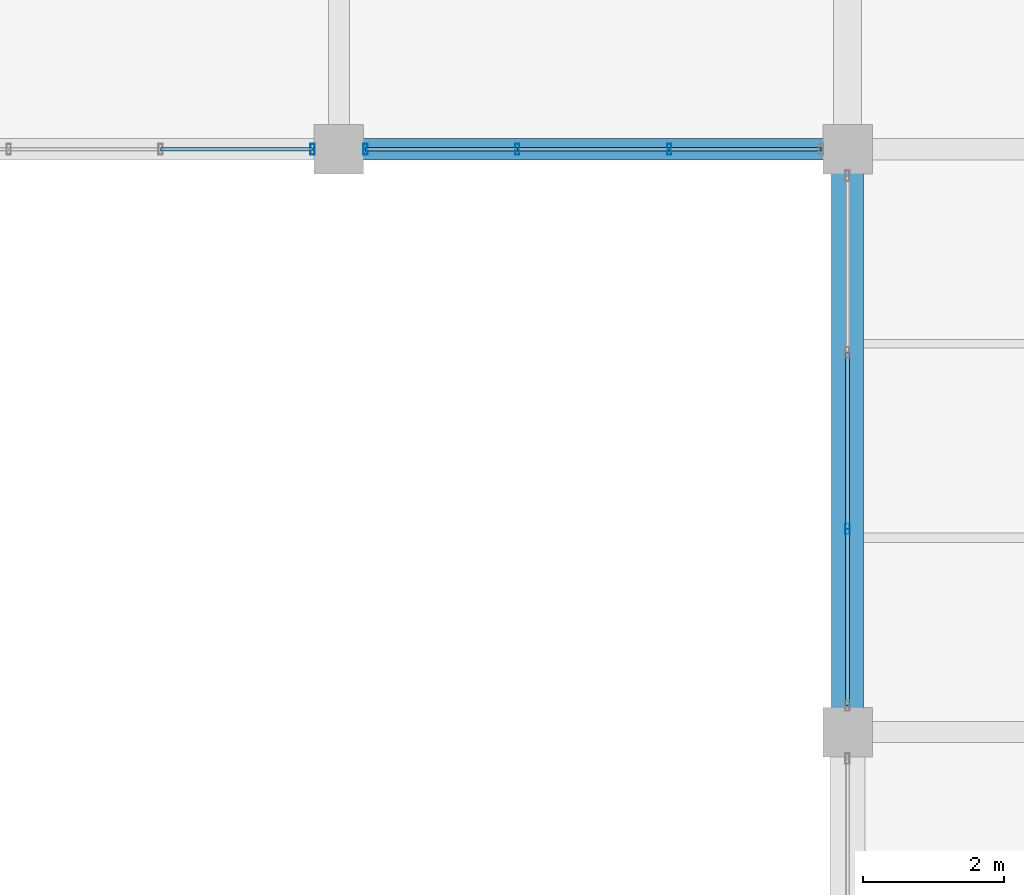
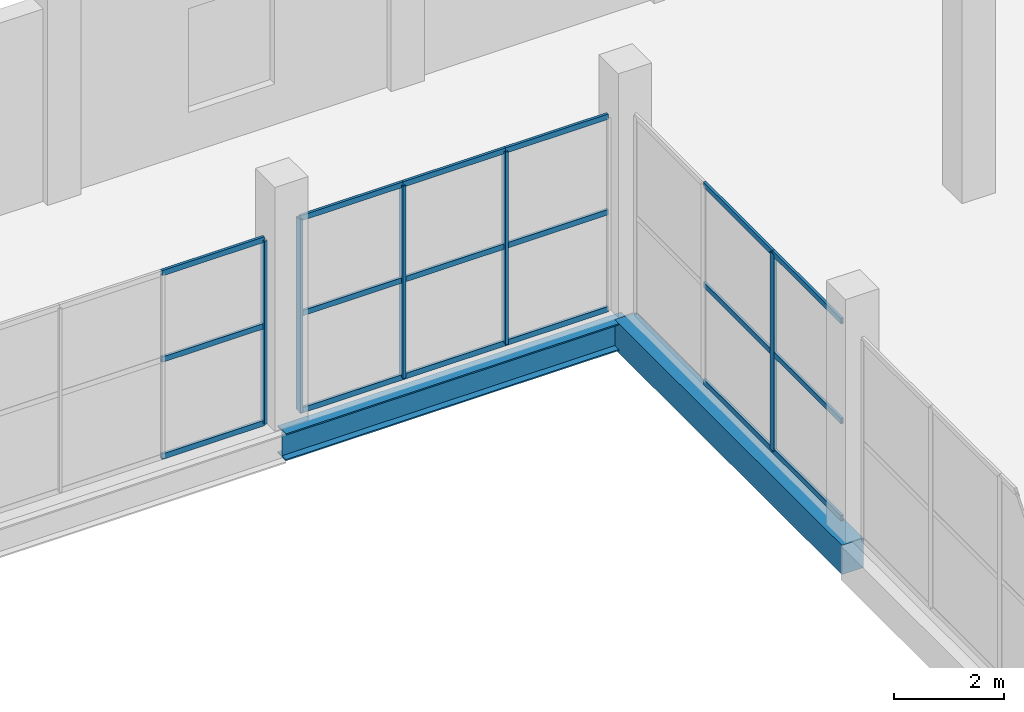
# One storey, part 110 of 147: 23 members, 2 beams, 3 elements without a shape of their own.
"""IFC4 building model written with IfcOpenShell, lengths in metres."""

from ifc_helpers import new_model, si_unit, direction, frame, origin, origin_2d, place, context, subcontext, project, spatial, rectangle, hollow_rectangle, i_section, extrude, material, layer, layer_set, material_profile, profile_set, type_object, element, aggregate, save


model = new_model("IFC4")

# Units and contexts
model_context = context("Model", 3, precision=1e-05, world=origin(), true_north=direction((0.0, 1.0)))
body_context = subcontext(model_context, "Body", "Model", "MODEL_VIEW")
ifc_project = project(units=[si_unit("LENGTHUNIT", "METRE"), si_unit("AREAUNIT", "SQUARE_METRE"), si_unit("VOLUMEUNIT", "CUBIC_METRE"), si_unit("PLANEANGLEUNIT", "RADIAN"), si_unit("MASSUNIT", "GRAM", prefix="KILO")], contexts=[model_context])

# Site, building, storey
site_placement = place(None, origin())
site = spatial("IfcSite", under=ifc_project, at=site_placement, CompositionType="ELEMENT")
building_placement = place(site_placement, origin())
building = spatial("IfcBuilding", under=site, at=building_placement, Name="Sundgate Opera House", CompositionType="ELEMENT")
storey_placement = place(building_placement, frame((0.0, 0.0, 6.0)))
storey = spatial("IfcBuildingStorey", under=building, at=storey_placement, Name="L01", CompositionType="ELEMENT", Elevation=6.0)

# Beams
ifc_material_1 = material(Name="Steel S355J2", Category="steel")
ifc_material_profile_1 = material_profile(ifc_material_1, i_section(OverallWidth=0.300048828125, OverallDepth=0.60009765625, WebThickness=0.015380859375, FlangeThickness=0.030029296875, at=origin_2d()), Name="HEB 600")
ifc_profile_set_1 = profile_set([ifc_material_profile_1], Name="Steel S355J2")
beam_type_1 = type_object("IfcBeamType", Name="BM-GR-HEB600", PredefinedType="BEAM", material=ifc_profile_set_1)
beam_1_placement = place(storey_placement, frame((145.800048828125, 111.75, -0.60009765625), z_axis=(1.0, 0.0, 0.0), x_axis=(0.0, 1.0, 0.0)))
element("IfcBeam", 1, at=beam_1_placement, inside=storey, type_object=beam_type_1, Name="L01 Primary E-W Girder B1448", PredefinedType="BEAM", context=body_context, shape_type="SweptSolid", body=[
    extrude(i_section(OverallWidth=0.300048828125, OverallDepth=0.60009765625, WebThickness=0.015380859375, FlangeThickness=0.030029296875, at=origin_2d()), origin(), (0.0, 0.0, 1.0), 7.199951171875),
])
ifc_material_2 = material(Name="Concrete C35/45", Category="concrete")
ifc_material_profile_2 = material_profile(ifc_material_2, rectangle(XDim=0.449951171875, YDim=0.64990234375, at=origin_2d()), Name="RC 450x650")
ifc_profile_set_2 = profile_set([ifc_material_profile_2], Name="Concrete C35/45")
beam_type_2 = type_object("IfcBeamType", Name="BM-RC-450x650", PredefinedType="BEAM", material=ifc_profile_set_2)
beam_2_placement = place(storey_placement, frame((153.0, 103.5, -0.625), z_axis=(0.0, 1.0, 0.0), x_axis=(-1.0, 0.0, 0.0)))
element("IfcBeam", 2, at=beam_2_placement, inside=storey, type_object=beam_type_2, Name="L01 Primary N-S Girder B1245", PredefinedType="BEAM", context=body_context, shape_type="SweptSolid", body=[
    extrude(rectangle(XDim=0.449951171875, YDim=0.64990234375, at=origin_2d()), origin(), (0.0, 0.0, 1.0), 8.25),
])

# Curtain wall, member
ifc_material_3 = material(Name="Anodized aluminium and low-iron glass", Category="aluminium")
ifc_layer = layer(ifc_material_3, 0.159912109375)
ifc_layer_set = layer_set([ifc_layer], Name="Anodized aluminium and low-iron glass")
curtain_wall_type = type_object("IfcCurtainWallType", Name="CW-STUDIO-DARK", PredefinedType="NOTDEFINED", material=ifc_layer_set)
curtain_wall_1_placement = place(storey_placement, origin())
curtain_wall_1 = element("IfcCurtainWall", 3, at=curtain_wall_1_placement, inside=storey, type_object=curtain_wall_type, Name="L01 Curtain Wall CW099", PredefinedType="NOTDEFINED")
ifc_material_4 = material(Name="Anodized aluminium EN AW-6063", Category="aluminium")
ifc_material_profile_3 = material_profile(ifc_material_4, hollow_rectangle(XDim=0.06005859375, YDim=0.14990234375, WallThickness=0.00390625, at=origin_2d()), Name="CWM 150x60x4")
ifc_profile_set_3 = profile_set([ifc_material_profile_3], Name="Anodized aluminium EN AW-6063")
member_type_1 = type_object("IfcMemberType", Name="CWM-ALU-150x60", PredefinedType="MULLION", material=ifc_profile_set_3)
member_1_placement = place(storey_placement, frame((145.425048828125, 111.75, 0.0), z_axis=(0.0, 0.0, 1.0), x_axis=(1.0, 0.0, 0.0)))
member_1 = element("IfcMember", 4, at=member_1_placement, type_object=member_type_1, Name="CW099 Mullion 1", PredefinedType="MULLION", context=body_context, shape_type="SweptSolid", body=[
    extrude(hollow_rectangle(XDim=0.06005859375, YDim=0.14990234375, WallThickness=0.00390625, at=origin_2d()), origin(), (0.0, 0.0, 1.0), 4.06494140625),
])

# Curtain wall, members
curtain_wall_2_placement = place(storey_placement, origin())
curtain_wall_2 = element("IfcCurtainWall", 5, at=curtain_wall_2_placement, inside=storey, type_object=curtain_wall_type, Name="L01 Curtain Wall CW101", PredefinedType="NOTDEFINED")
member_2_placement = place(storey_placement, frame((150.47509765625, 111.75, 0.0), z_axis=(0.0, 0.0, 1.0), x_axis=(1.0, 0.0, 0.0)))
member_2 = element("IfcMember", 6, at=member_2_placement, type_object=member_type_1, Name="CW101 Mullion 2", PredefinedType="MULLION", context=body_context, shape_type="SweptSolid", body=[
    extrude(hollow_rectangle(XDim=0.06005859375, YDim=0.14990234375, WallThickness=0.00390625, at=origin_2d()), origin(), (0.0, 0.0, 1.0), 4.264892578125),
])
member_3_placement = place(storey_placement, frame((148.324951171875, 111.75, 0.0), z_axis=(0.0, 0.0, 1.0), x_axis=(1.0, 0.0, 0.0)))
member_3 = element("IfcMember", 7, at=member_3_placement, type_object=member_type_1, Name="CW101 Mullion 3", PredefinedType="MULLION", context=body_context, shape_type="SweptSolid", body=[
    extrude(hollow_rectangle(XDim=0.06005859375, YDim=0.14990234375, WallThickness=0.00390625, at=origin_2d()), origin(), (0.0, 0.0, 1.0), 4.264892578125),
])
member_4_placement = place(storey_placement, frame((146.175048828125, 111.75, 0.0), z_axis=(0.0, 0.0, 1.0), x_axis=(1.0, 0.0, 0.0)))
member_4 = element("IfcMember", 8, at=member_4_placement, type_object=member_type_1, Name="CW101 Mullion 4", PredefinedType="MULLION", context=body_context, shape_type="SweptSolid", body=[
    extrude(hollow_rectangle(XDim=0.06005859375, YDim=0.14990234375, WallThickness=0.00390625, at=origin_2d()), origin(), (0.0, 0.0, 1.0), 4.264892578125),
])

# Curtain wall, member
curtain_wall_3_placement = place(storey_placement, origin())
curtain_wall_3 = element("IfcCurtainWall", 9, at=curtain_wall_3_placement, inside=storey, type_object=curtain_wall_type, Name="L01 Curtain Wall CW107", PredefinedType="NOTDEFINED")
member_5_placement = place(storey_placement, frame((153.0, 106.375, 0.0), z_axis=(0.0, 0.0, 1.0), x_axis=(1.0, 0.0, 0.0)))
member_5 = element("IfcMember", 10, at=member_5_placement, type_object=member_type_1, Name="CW107 Mullion 3", PredefinedType="MULLION", context=body_context, shape_type="SweptSolid", body=[
    extrude(hollow_rectangle(XDim=0.06005859375, YDim=0.14990234375, WallThickness=0.00390625, at=origin_2d()), origin(), (0.0, 0.0, 1.0), 4.364990234375),
])

# Member
ifc_material_5 = material(Name="Anodized aluminium EN AW-6063", Category="aluminium")
ifc_material_profile_4 = material_profile(ifc_material_5, hollow_rectangle(XDim=0.054931640625, YDim=0.1201171875, WallThickness=0.00390625, at=origin_2d()), Name="CWT 120x55x4")
ifc_profile_set_4 = profile_set([ifc_material_profile_4], Name="Anodized aluminium EN AW-6063")
member_type_2 = type_object("IfcMemberType", Name="CWT-ALU-120x55", PredefinedType="USERDEFINED", material=ifc_profile_set_4)
member_6_placement = place(storey_placement, frame((145.425048828125, 111.75, 0.0), z_axis=(-1.0, 0.0, 0.0), x_axis=(0.0, -1.0, 0.0)))
member_6 = element("IfcMember", 11, at=member_6_placement, type_object=member_type_2, Name="CW099 Transom 1", ObjectType="TRANSOM", PredefinedType="USERDEFINED", context=body_context, shape_type="SweptSolid", body=[
    extrude(hollow_rectangle(XDim=0.054931640625, YDim=0.1201171875, WallThickness=0.00390625, at=origin_2d()), origin(), (0.0, 0.0, 1.0), 2.150146484375),
])

member_7_placement = place(storey_placement, frame((145.425048828125, 111.75, 2.14990234375), z_axis=(-1.0, 0.0, 0.0), x_axis=(0.0, -1.0, 0.0)))
member_7 = element("IfcMember", 12, at=member_7_placement, type_object=member_type_2, Name="CW099 Transom 2", ObjectType="TRANSOM", PredefinedType="USERDEFINED", context=body_context, shape_type="SweptSolid", body=[
    extrude(hollow_rectangle(XDim=0.054931640625, YDim=0.1201171875, WallThickness=0.00390625, at=origin_2d()), origin(), (0.0, 0.0, 1.0), 2.150146484375),
])

member_8_placement = place(storey_placement, frame((145.425048828125, 111.75, 4.06494140625), z_axis=(-1.0, 0.0, 0.0), x_axis=(0.0, -1.0, 0.0)))
member_8 = element("IfcMember", 13, at=member_8_placement, type_object=member_type_2, Name="CW099 Transom 3", ObjectType="TRANSOM", PredefinedType="USERDEFINED", context=body_context, shape_type="SweptSolid", body=[
    extrude(hollow_rectangle(XDim=0.054931640625, YDim=0.1201171875, WallThickness=0.00390625, at=origin_2d()), origin(), (0.0, 0.0, 1.0), 2.150146484375),
])

aggregate(curtain_wall_1, [member_1, member_6, member_7, member_8])

member_9_placement = place(storey_placement, frame((152.625, 111.75, 0.0), z_axis=(-1.0, 0.0, 0.0), x_axis=(0.0, -1.0, 0.0)))
member_9 = element("IfcMember", 14, at=member_9_placement, type_object=member_type_2, Name="CW101 Transom 1", ObjectType="TRANSOM", PredefinedType="USERDEFINED", context=body_context, shape_type="SweptSolid", body=[
    extrude(hollow_rectangle(XDim=0.054931640625, YDim=0.1201171875, WallThickness=0.00390625, at=origin_2d()), origin(), (0.0, 0.0, 1.0), 2.14990234375),
])

member_10_placement = place(storey_placement, frame((152.625, 111.75, 2.14990234375), z_axis=(-1.0, 0.0, 0.0), x_axis=(0.0, -1.0, 0.0)))
member_10 = element("IfcMember", 15, at=member_10_placement, type_object=member_type_2, Name="CW101 Transom 2", ObjectType="TRANSOM", PredefinedType="USERDEFINED", context=body_context, shape_type="SweptSolid", body=[
    extrude(hollow_rectangle(XDim=0.054931640625, YDim=0.1201171875, WallThickness=0.00390625, at=origin_2d()), origin(), (0.0, 0.0, 1.0), 2.14990234375),
])

member_11_placement = place(storey_placement, frame((152.625, 111.75, 4.264892578125), z_axis=(-1.0, 0.0, 0.0), x_axis=(0.0, -1.0, 0.0)))
member_11 = element("IfcMember", 16, at=member_11_placement, type_object=member_type_2, Name="CW101 Transom 3", ObjectType="TRANSOM", PredefinedType="USERDEFINED", context=body_context, shape_type="SweptSolid", body=[
    extrude(hollow_rectangle(XDim=0.054931640625, YDim=0.1201171875, WallThickness=0.00390625, at=origin_2d()), origin(), (0.0, 0.0, 1.0), 2.14990234375),
])

member_12_placement = place(storey_placement, frame((150.47509765625, 111.75, 0.0), z_axis=(-1.0, 0.0, 0.0), x_axis=(0.0, -1.0, 0.0)))
member_12 = element("IfcMember", 17, at=member_12_placement, type_object=member_type_2, Name="CW101 Transom 4", ObjectType="TRANSOM", PredefinedType="USERDEFINED", context=body_context, shape_type="SweptSolid", body=[
    extrude(hollow_rectangle(XDim=0.054931640625, YDim=0.1201171875, WallThickness=0.00390625, at=origin_2d()), origin(), (0.0, 0.0, 1.0), 2.150146484375),
])

member_13_placement = place(storey_placement, frame((150.47509765625, 111.75, 2.14990234375), z_axis=(-1.0, 0.0, 0.0), x_axis=(0.0, -1.0, 0.0)))
member_13 = element("IfcMember", 18, at=member_13_placement, type_object=member_type_2, Name="CW101 Transom 5", ObjectType="TRANSOM", PredefinedType="USERDEFINED", context=body_context, shape_type="SweptSolid", body=[
    extrude(hollow_rectangle(XDim=0.054931640625, YDim=0.1201171875, WallThickness=0.00390625, at=origin_2d()), origin(), (0.0, 0.0, 1.0), 2.150146484375),
])

member_14_placement = place(storey_placement, frame((150.47509765625, 111.75, 4.264892578125), z_axis=(-1.0, 0.0, 0.0), x_axis=(0.0, -1.0, 0.0)))
member_14 = element("IfcMember", 19, at=member_14_placement, type_object=member_type_2, Name="CW101 Transom 6", ObjectType="TRANSOM", PredefinedType="USERDEFINED", context=body_context, shape_type="SweptSolid", body=[
    extrude(hollow_rectangle(XDim=0.054931640625, YDim=0.1201171875, WallThickness=0.00390625, at=origin_2d()), origin(), (0.0, 0.0, 1.0), 2.150146484375),
])

member_15_placement = place(storey_placement, frame((148.324951171875, 111.75, 0.0), z_axis=(-1.0, 0.0, 0.0), x_axis=(0.0, -1.0, 0.0)))
member_15 = element("IfcMember", 20, at=member_15_placement, type_object=member_type_2, Name="CW101 Transom 7", ObjectType="TRANSOM", PredefinedType="USERDEFINED", context=body_context, shape_type="SweptSolid", body=[
    extrude(hollow_rectangle(XDim=0.054931640625, YDim=0.1201171875, WallThickness=0.00390625, at=origin_2d()), origin(), (0.0, 0.0, 1.0), 2.14990234375),
])

member_16_placement = place(storey_placement, frame((148.324951171875, 111.75, 2.14990234375), z_axis=(-1.0, 0.0, 0.0), x_axis=(0.0, -1.0, 0.0)))
member_16 = element("IfcMember", 21, at=member_16_placement, type_object=member_type_2, Name="CW101 Transom 8", ObjectType="TRANSOM", PredefinedType="USERDEFINED", context=body_context, shape_type="SweptSolid", body=[
    extrude(hollow_rectangle(XDim=0.054931640625, YDim=0.1201171875, WallThickness=0.00390625, at=origin_2d()), origin(), (0.0, 0.0, 1.0), 2.14990234375),
])

member_17_placement = place(storey_placement, frame((148.324951171875, 111.75, 4.264892578125), z_axis=(-1.0, 0.0, 0.0), x_axis=(0.0, -1.0, 0.0)))
member_17 = element("IfcMember", 22, at=member_17_placement, type_object=member_type_2, Name="CW101 Transom 9", ObjectType="TRANSOM", PredefinedType="USERDEFINED", context=body_context, shape_type="SweptSolid", body=[
    extrude(hollow_rectangle(XDim=0.054931640625, YDim=0.1201171875, WallThickness=0.00390625, at=origin_2d()), origin(), (0.0, 0.0, 1.0), 2.14990234375),
])

aggregate(curtain_wall_2, [member_2, member_3, member_4, member_9, member_10, member_11, member_12, member_13, member_14, member_15, member_16, member_17])

member_18_placement = place(storey_placement, frame((153.0, 108.875, 0.0), z_axis=(0.0, -1.0, 0.0), x_axis=(1.0, 0.0, 0.0)))
member_18 = element("IfcMember", 23, at=member_18_placement, type_object=member_type_2, Name="CW107 Transom 4", ObjectType="TRANSOM", PredefinedType="USERDEFINED", context=body_context, shape_type="SweptSolid", body=[
    extrude(hollow_rectangle(XDim=0.054931640625, YDim=0.1201171875, WallThickness=0.00390625, at=origin_2d()), origin(), (0.0, 0.0, 1.0), 2.5),
])

member_19_placement = place(storey_placement, frame((153.0, 108.875, 2.14990234375), z_axis=(0.0, -1.0, 0.0), x_axis=(1.0, 0.0, 0.0)))
member_19 = element("IfcMember", 24, at=member_19_placement, type_object=member_type_2, Name="CW107 Transom 5", ObjectType="TRANSOM", PredefinedType="USERDEFINED", context=body_context, shape_type="SweptSolid", body=[
    extrude(hollow_rectangle(XDim=0.054931640625, YDim=0.1201171875, WallThickness=0.00390625, at=origin_2d()), origin(), (0.0, 0.0, 1.0), 2.5),
])

member_20_placement = place(storey_placement, frame((153.0, 108.875, 4.364990234375), z_axis=(0.0, -1.0, 0.0), x_axis=(1.0, 0.0, 0.0)))
member_20 = element("IfcMember", 25, at=member_20_placement, type_object=member_type_2, Name="CW107 Transom 6", ObjectType="TRANSOM", PredefinedType="USERDEFINED", context=body_context, shape_type="SweptSolid", body=[
    extrude(hollow_rectangle(XDim=0.054931640625, YDim=0.1201171875, WallThickness=0.00390625, at=origin_2d()), origin(), (0.0, 0.0, 1.0), 2.5),
])

member_21_placement = place(storey_placement, frame((153.0, 106.375, 0.0), z_axis=(0.0, -1.0, 0.0), x_axis=(1.0, 0.0, 0.0)))
member_21 = element("IfcMember", 26, at=member_21_placement, type_object=member_type_2, Name="CW107 Transom 7", ObjectType="TRANSOM", PredefinedType="USERDEFINED", context=body_context, shape_type="SweptSolid", body=[
    extrude(hollow_rectangle(XDim=0.054931640625, YDim=0.1201171875, WallThickness=0.00390625, at=origin_2d()), origin(), (0.0, 0.0, 1.0), 2.5),
])

member_22_placement = place(storey_placement, frame((153.0, 106.375, 2.14990234375), z_axis=(0.0, -1.0, 0.0), x_axis=(1.0, 0.0, 0.0)))
member_22 = element("IfcMember", 27, at=member_22_placement, type_object=member_type_2, Name="CW107 Transom 8", ObjectType="TRANSOM", PredefinedType="USERDEFINED", context=body_context, shape_type="SweptSolid", body=[
    extrude(hollow_rectangle(XDim=0.054931640625, YDim=0.1201171875, WallThickness=0.00390625, at=origin_2d()), origin(), (0.0, 0.0, 1.0), 2.5),
])

member_23_placement = place(storey_placement, frame((153.0, 106.375, 4.364990234375), z_axis=(0.0, -1.0, 0.0), x_axis=(1.0, 0.0, 0.0)))
member_23 = element("IfcMember", 28, at=member_23_placement, type_object=member_type_2, Name="CW107 Transom 9", ObjectType="TRANSOM", PredefinedType="USERDEFINED", context=body_context, shape_type="SweptSolid", body=[
    extrude(hollow_rectangle(XDim=0.054931640625, YDim=0.1201171875, WallThickness=0.00390625, at=origin_2d()), origin(), (0.0, 0.0, 1.0), 2.5),
])

aggregate(curtain_wall_3, [member_5, member_18, member_19, member_20, member_21, member_22, member_23])

save(model, "model.ifc")
